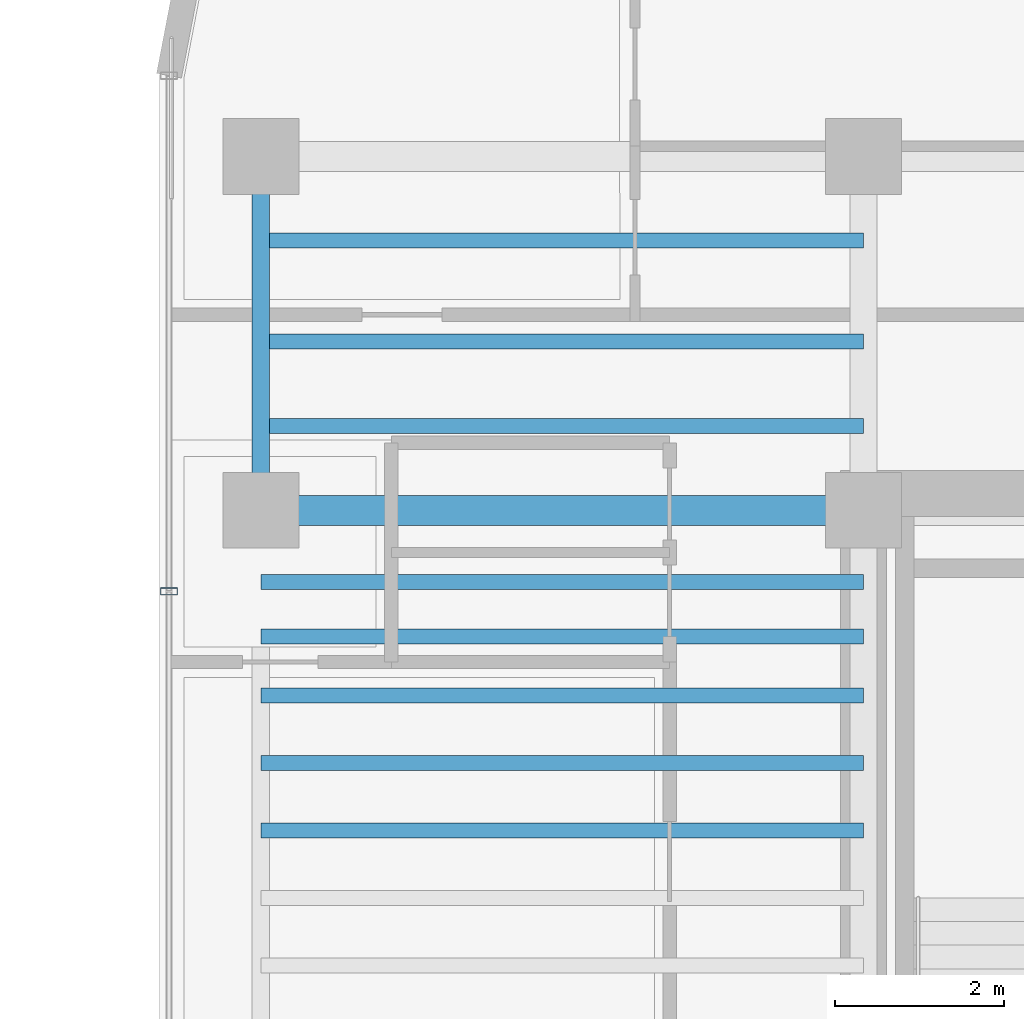
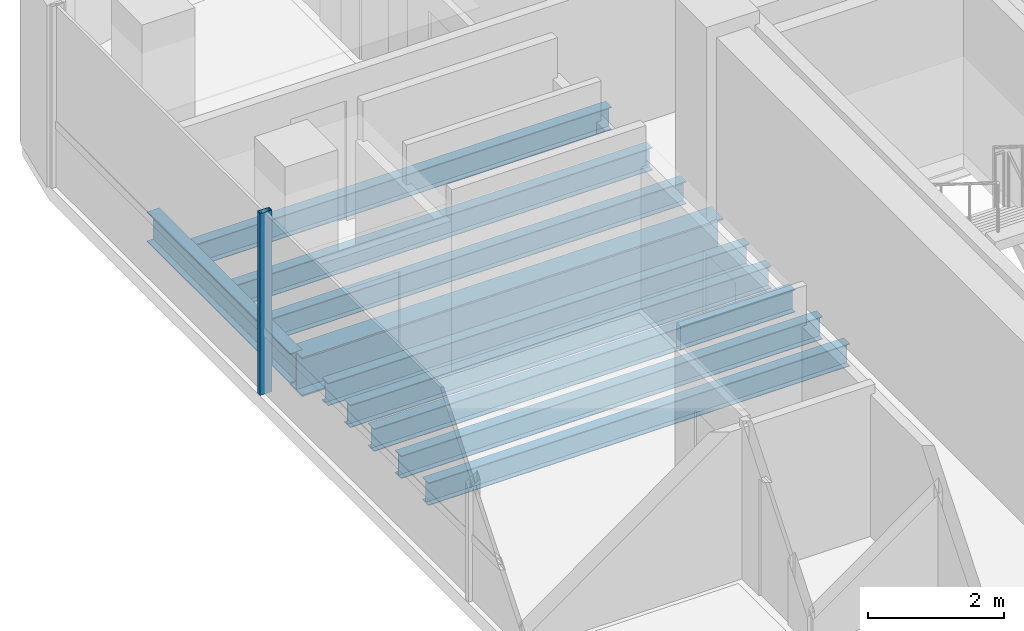
# One storey, part 9 of 24: 10 beams, 1 member, 1 element without a shape of its own.
"""IFC4 building model written with IfcOpenShell, lengths in metres."""

from ifc_helpers import new_model, si_unit, direction, frame, origin, origin_2d, place, context, subcontext, project, spatial, hollow_rectangle, i_section, extrude, source, transform, mapped, material, material_profile, profile_set, type_object, element, aggregate, save


model = new_model("IFC4")

# Units and contexts
model_context = context("Model", 3, precision=1e-05, world=origin(), true_north=direction((0.0, 1.0)))
body_context = subcontext(model_context, "Body", "Model", "MODEL_VIEW")
ifc_project = project(units=[si_unit("LENGTHUNIT", "METRE"), si_unit("AREAUNIT", "SQUARE_METRE"), si_unit("VOLUMEUNIT", "CUBIC_METRE"), si_unit("PLANEANGLEUNIT", "RADIAN"), si_unit("MASSUNIT", "GRAM", prefix="KILO")], contexts=[model_context])

# Site, building, storey
site_placement = place(None, origin())
site = spatial("IfcSite", under=ifc_project, at=site_placement, CompositionType="ELEMENT")
building_placement = place(site_placement, origin())
building = spatial("IfcBuilding", under=site, at=building_placement, Name="Valdorenza Pilgrim Sanctuary Tower", CompositionType="ELEMENT")
storey_placement = place(building_placement, frame((0.0, 0.0, 230.0)))
storey = spatial("IfcBuildingStorey", under=building, at=storey_placement, Name="L59", CompositionType="ELEMENT", Elevation=230.0)

# Beams
ifc_material_1 = material(Name="Steel ASTM A992 Grade 50", Category="steel")
ifc_material_profile_1 = material_profile(ifc_material_1, i_section(OverallWidth=0.2109375, OverallDepth=0.5390625, WebThickness=0.01171875, FlangeThickness=0.018798828125, at=origin_2d()), Name="W21X73")
ifc_profile_set_1 = profile_set([ifc_material_profile_1], Name="Steel ASTM A992 Grade 50")
beam_type_1 = type_object("IfcBeamType", Name="STR-BM-SPN-W21B", PredefinedType="SPANDREL", material=ifc_profile_set_1)
shared_shape_1 = source(origin(), body_context, "Body", "SweptSolid", [
    extrude(i_section(OverallWidth=0.2109375, OverallDepth=0.5390625, WebThickness=0.01171875, FlangeThickness=0.018798828125, at=origin_2d()), origin(), (0.0, 0.0, 1.0), 4.199951171875),
])
beam_1_placement = place(storey_placement, frame((-29.800048828125, 10.60009765625, -0.509521484375), z_axis=(0.0, 1.0, 0.0), x_axis=(-1.0, 0.0, 0.0)))
element("IfcBeam", 1, at=beam_1_placement, inside=storey, type_object=beam_type_1, Name="L59 Spandrel Beam WA-W-N1N2", PredefinedType="SPANDREL", context=body_context, shape_type="MappedRepresentation", body=[
    mapped(shared_shape_1, transform((0.0, 0.0, 0.0), x_axis=(1.0, 0.0, 0.0), y_axis=(0.0, 1.0, 0.0), z_axis=(0.0, 0.0, 1.0), scale=1.0)),
])
ifc_material_profile_2 = material_profile(ifc_material_1, i_section(OverallWidth=0.35595703125, OverallDepth=0.700927734375, WebThickness=0.016845703125, FlangeThickness=0.02734375, at=origin_2d()), Name="W27X161")
ifc_profile_set_2 = profile_set([ifc_material_profile_2], Name="Steel ASTM A992 Grade 50")
beam_type_2 = type_object("IfcBeamType", Name="STR-BM-GRD-W27", PredefinedType="BEAM", material=ifc_profile_set_2)
shared_shape_2 = source(origin(), body_context, "Body", "SweptSolid", [
    extrude(i_section(OverallWidth=0.35595703125, OverallDepth=0.700927734375, WebThickness=0.016845703125, FlangeThickness=0.02734375, at=origin_2d()), origin(), (0.0, 0.0, 1.0), 7.150146484375),
])
beam_2_placement = place(storey_placement, frame((-29.800048828125, 10.60009765625, -0.590576171875), z_axis=(1.0, 0.0, 0.0), x_axis=(0.0, 1.0, 0.0)))
element("IfcBeam", 2, at=beam_2_placement, inside=storey, type_object=beam_type_2, Name="L59 Floor Girder WA-XW-N1", PredefinedType="BEAM", context=body_context, shape_type="MappedRepresentation", body=[
    mapped(shared_shape_2, transform((0.0, 0.0, 0.0), x_axis=(1.0, 0.0, 0.0), y_axis=(0.0, 1.0, 0.0), z_axis=(0.0, 0.0, 1.0), scale=1.0)),
])
ifc_material_profile_3 = material_profile(ifc_material_1, i_section(OverallWidth=0.177978515625, OverallDepth=0.406005859375, WebThickness=0.0078125, FlangeThickness=0.0126953125, at=origin_2d()), Name="W16X40")
ifc_profile_set_3 = profile_set([ifc_material_profile_3], Name="Steel ASTM A992 Grade 50")
beam_type_3 = type_object("IfcBeamType", Name="STR-BM-JST-W16", PredefinedType="JOIST", material=ifc_profile_set_3)
shared_shape_3 = source(origin(), body_context, "Body", "SweptSolid", [
    extrude(i_section(OverallWidth=0.177978515625, OverallDepth=0.406005859375, WebThickness=0.0078125, FlangeThickness=0.0126953125, at=origin_2d()), origin(), (0.0, 0.0, 1.0), 7.150146484375),
])
for number, where, z_axis, x_axis, name in (
    (3, (-29.800048828125, 6.800048828125, -0.443115234375), (1.0, 0.0, 0.0), (0.0, 1.0, 0.0), "L59 Composite Floor Joist JST-WA-19"),
    (4, (-29.800048828125, 7.60009765625, -0.443115234375), (1.0, 0.0, 0.0), (0.0, 1.0, 0.0), "L59 Composite Floor Joist JST-WA-20"),
    (5, (-29.800048828125, 8.39990234375, -0.443115234375), (1.0, 0.0, 0.0), (0.0, 1.0, 0.0), "L59 Composite Floor Joist JST-WA-21"),
    (6, (-29.800048828125, 9.10009765625, -0.443115234375), (1.0, 0.0, 0.0), (0.0, 1.0, 0.0), "L59 Composite Floor Joist JST-WA-22"),
    (7, (-29.800048828125, 9.75, -0.443115234375), (1.0, 0.0, 0.0), (0.0, 1.0, 0.0), "L59 Composite Floor Joist JST-WA-23"),
    (8, (-29.800048828125, 11.60009765625, -0.443115234375), (1.0, 0.0, 0.0), (0.0, 1.0, 0.0), "L59 Composite Floor Joist JST-WA-24"),
    (9, (-29.800048828125, 12.60009765625, -0.443115234375), (1.0, 0.0, 0.0), (0.0, 1.0, 0.0), "L59 Composite Floor Joist JST-WA-25"),
    (10, (-29.800048828125, 13.800048828125, -0.443115234375), (1.0, 0.0, 0.0), (0.0, 1.0, 0.0), "L59 Composite Floor Joist JST-WA-26"),
):
    element("IfcBeam", number, at=place(storey_placement, frame(where, z_axis=z_axis, x_axis=x_axis)), inside=storey, type_object=beam_type_3, Name=name, PredefinedType="JOIST", context=body_context, shape_type="MappedRepresentation", body=[
        mapped(shared_shape_3, transform((0.0, 0.0, 0.0), x_axis=(1.0, 0.0, 0.0), y_axis=(0.0, 1.0, 0.0), z_axis=(0.0, 0.0, 1.0), scale=1.0)),
    ])

# Curtain wall, member
ifc_material_2 = material(Name="Curtain-wall IGU glazing", Category="glass")
curtain_wall_type = type_object("IfcCurtainWallType", Name="CW-SYS-02", PredefinedType="NOTDEFINED", material=ifc_material_2)
curtain_wall_placement = place(storey_placement, origin())
curtain_wall = element("IfcCurtainWall", 11, at=curtain_wall_placement, inside=storey, type_object=curtain_wall_type, Name="L59 Curtain Wall CW-L59-1-1S2", PredefinedType="NOTDEFINED")
ifc_material_3 = material(Name="Anodised aluminium AW-6060", Category="aluminium")
ifc_material_profile_4 = material_profile(ifc_material_3, hollow_rectangle(XDim=0.0849609375, YDim=0.199951171875, WallThickness=0.0048828125, at=origin_2d()), Name="ALU-M 200x85x5")
ifc_profile_set_4 = profile_set([ifc_material_profile_4], Name="Anodised aluminium AW-6060")
member_type = type_object("IfcMemberType", Name="CW-MUL-02", PredefinedType="MULLION", material=ifc_profile_set_4)
shared_shape_4 = source(origin(), body_context, "Body", "SweptSolid", [
    extrude(hollow_rectangle(XDim=0.0849609375, YDim=0.199951171875, WallThickness=0.0048828125, at=origin_2d()), origin(), (0.0, 0.0, 1.0), 3.260009765625),
])
member_placement = place(storey_placement, frame((-30.889892578125, 9.63818359375, 0.0), z_axis=(0.0, 0.0, 1.0), x_axis=(0.0, 1.0, 0.0)))
member = element("IfcMember", 12, at=member_placement, type_object=member_type, Name="CW-L59-1-1S2 Mullion 3", PredefinedType="MULLION", context=body_context, shape_type="MappedRepresentation", body=[
    mapped(shared_shape_4, transform((0.0, 0.0, 0.0), x_axis=(1.0, 0.0, 0.0), y_axis=(0.0, 1.0, 0.0), z_axis=(0.0, 0.0, 1.0), scale=1.0)),
])
aggregate(curtain_wall, [member])

save(model, "model.ifc")
